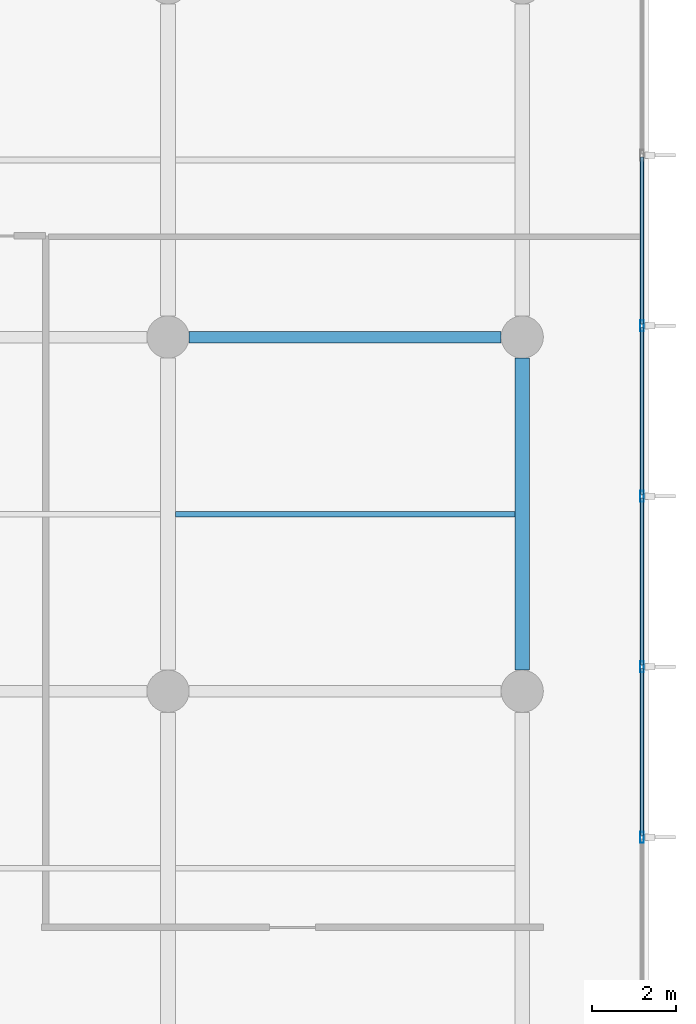
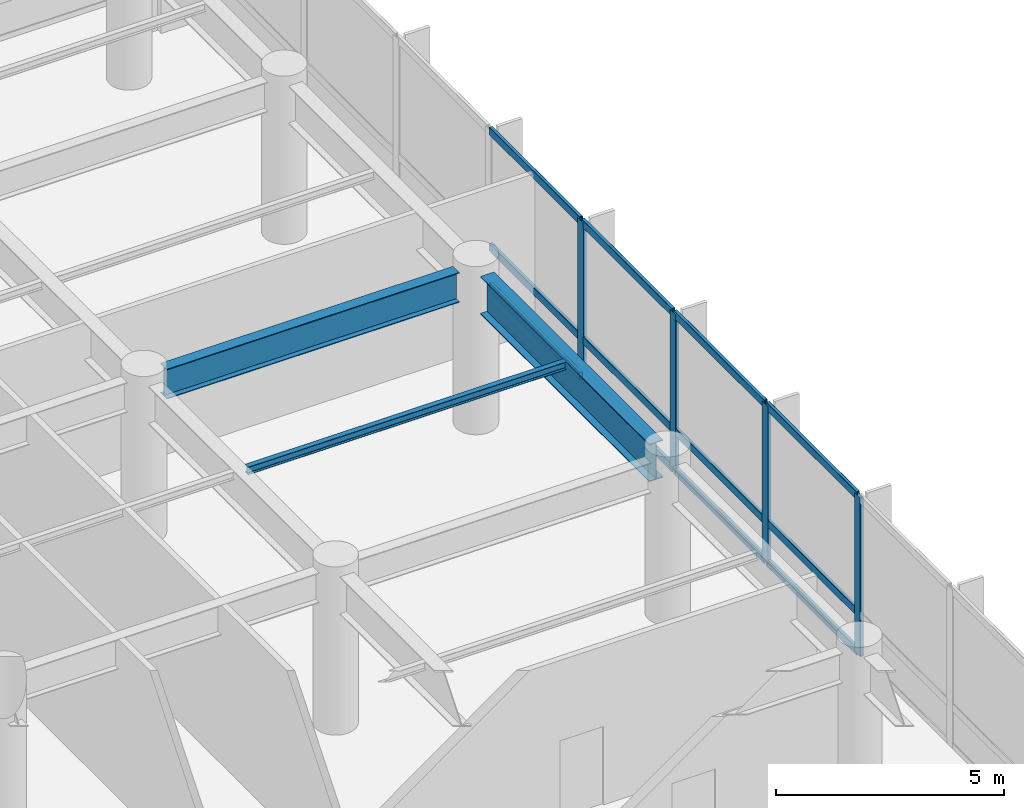
# One storey, part 9 of 26: 16 members, 3 beams, 1 element without a shape of its own.
"""IFC4 building model written with IfcOpenShell, lengths in metres."""

import ifcopenshell
import ifcopenshell.guid

model = None  # the IFC model being written
_history = None  # IfcOwnerHistory: only IFC2X3 demands one
_inside = {}  # id of a spatial element -> (the spatial element, [elements in it])
_under = {}  # id of a project, library or spatial element -> (it, [spatial elements below it])
_declared = {}  # id of a project -> (the project, [libraries it declares])
_typed = {}  # id of a type object -> (the type object, [elements of that type])
_made_of = {}  # id of a material, layer set ... -> (it, [elements and type objects made of it])


def new_model(schema):
    """Start an empty IFC model of exactly this schema.

    Asked for "IFC4X3", IfcOpenShell would pick the latest addendum, in which some entities
    have other attributes; the version numbers below select the first issue.
    IFC2X3 requires an IfcOwnerHistory on every rooted entity: one is made here for all.
    """
    global model, _history
    if schema == "IFC4X3":
        model = ifcopenshell.file(schema_version=(4, 3, 0, 0))
    else:
        model = ifcopenshell.file(schema=schema)
    _inside.clear()
    _under.clear()
    _declared.clear()
    _typed.clear()
    _made_of.clear()
    _history = None
    if model.schema == "IFC2X3":
        org = make("IfcOrganization", Name="unknown")
        user = make(
            "IfcPersonAndOrganization",
            ThePerson=make("IfcPerson", FamilyName="unknown"),
            TheOrganization=org,
        )
        app = make(
            "IfcApplication",
            ApplicationDeveloper=org,
            Version="unknown",
            ApplicationFullName="unknown",
            ApplicationIdentifier="unknown",
        )
        _history = make(
            "IfcOwnerHistory",
            OwningUser=user,
            OwningApplication=app,
            ChangeAction="ADDED",
            CreationDate=0,
        )
    return model


def make(cls, **values):
    """One entity of the class cls with the attributes given. An attribute that is None is left unset."""
    return model.create_entity(
        cls, **{name: value for name, value in values.items() if value is not None}
    )


def rooted(cls, **values):
    """An entity with a GlobalId (a new one), such as an element, a storey or a relation."""
    return make(cls, GlobalId=ifcopenshell.guid.new(), OwnerHistory=_history, **values)


def si_unit(unit_type, name, prefix=None):
    """IfcSIUnit, for example si_unit("LENGTHUNIT", "METRE", prefix="MILLI")."""
    return make("IfcSIUnit", UnitType=unit_type, Prefix=prefix, Name=name)


def assignment(units):
    """IfcUnitAssignment: the units of a project."""
    return None if units is None else make("IfcUnitAssignment", Units=units)


def point(xyz):
    """IfcCartesianPoint."""
    return None if xyz is None else make("IfcCartesianPoint", Coordinates=xyz)


def direction(xyz):
    """IfcDirection."""
    return None if xyz is None else make("IfcDirection", DirectionRatios=xyz)


def frame(location, z_axis=None, x_axis=None):
    """IfcAxis2Placement3D, a coordinate frame: its origin and axes. An axis left out is left unset."""
    return make(
        "IfcAxis2Placement3D",
        Location=point(location),
        Axis=direction(z_axis),
        RefDirection=direction(x_axis),
    )


def frame_2d(location, x_axis=None):
    """IfcAxis2Placement2D, a coordinate frame in the plane: its origin and x axis."""
    return make(
        "IfcAxis2Placement2D", Location=point(location), RefDirection=direction(x_axis)
    )


def origin():
    """The frame at (0, 0, 0) with its axes left unset."""
    return frame((0.0, 0.0, 0.0))


def origin_2d():
    """The frame at (0, 0) in the plane with its x axis left unset."""
    return frame_2d((0.0, 0.0))


def place(relative_to, where):
    """IfcLocalPlacement: puts the frame where relative to a parent placement (None: the world)."""
    return make(
        "IfcLocalPlacement", PlacementRelTo=relative_to, RelativePlacement=where
    )


def context(
    kind, dimensions, precision=None, world=None, true_north=None, identifier=None
):
    """IfcGeometricRepresentationContext, for example the 3D "Model" context."""
    return make(
        "IfcGeometricRepresentationContext",
        ContextIdentifier=identifier,
        ContextType=kind,
        CoordinateSpaceDimension=dimensions,
        Precision=precision,
        WorldCoordinateSystem=world,
        TrueNorth=true_north,
    )


def subcontext(parent, identifier, kind, view, scale=None):
    """IfcGeometricRepresentationSubContext, for example "Body" below "Model"."""
    return make(
        "IfcGeometricRepresentationSubContext",
        ContextIdentifier=identifier,
        ContextType=kind,
        ParentContext=parent,
        TargetScale=scale,
        TargetView=view,
    )


def project(units=None, contexts=None):
    """IfcProject with its units and contexts."""
    return rooted(
        "IfcProject",
        Name="project",
        RepresentationContexts=contexts,
        UnitsInContext=assignment(units),
    )


def spatial(cls, under=None, at=None, **own):
    """A site, building, storey or space (cls), placed at a placement, below another one or the project."""
    s = rooted(cls, ObjectPlacement=at, **own)
    if under is not None:
        _under.setdefault(under.id(), (under, []))[1].append(s)
    return s


def profile(cls, at=None, kind="AREA", **sizes):
    """A parametric profile (cls). Its sizes go by their IFC names, for example OverallWidth=200.0."""
    return make(cls, ProfileType=kind, Position=at, **sizes)


def hollow_rectangle(**sizes):
    """IfcRectangleHollowProfileDef."""
    return profile("IfcRectangleHollowProfileDef", **sizes)


def i_section(**sizes):
    """IfcIShapeProfileDef."""
    return profile("IfcIShapeProfileDef", **sizes)


def extrude(swept, where, along, depth):
    """IfcExtrudedAreaSolid: the profile swept, set in the frame where, extruded along a direction by depth."""
    return make(
        "IfcExtrudedAreaSolid",
        SweptArea=swept,
        Position=where,
        ExtrudedDirection=direction(along),
        Depth=depth,
    )


def shape(context_of_items, identifier, shape_type, items):
    """IfcShapeRepresentation: the items that make up one representation, for example the "Body"."""
    return make(
        "IfcShapeRepresentation",
        ContextOfItems=context_of_items,
        RepresentationIdentifier=identifier,
        RepresentationType=shape_type,
        Items=items,
    )


def material(Name=None, Category=None):
    """IfcMaterial."""
    return make("IfcMaterial", Name=Name, Category=Category)


def layer(
    of_material, thickness, ventilated=None, Name=None, Category=None, Priority=None
):
    """IfcMaterialLayer: one layer of a wall or slab, of a material (None: an air gap)."""
    return make(
        "IfcMaterialLayer",
        Material=of_material,
        LayerThickness=thickness,
        IsVentilated=ventilated,
        Name=Name,
        Category=Category,
        Priority=Priority,
    )


def layer_set(layers, Name=None):
    """IfcMaterialLayerSet."""
    return make("IfcMaterialLayerSet", MaterialLayers=layers, LayerSetName=Name)


def material_profile(
    of_material, cross_section, Name=None, Category=None, Priority=None
):
    """IfcMaterialProfile: a cross section and its material."""
    return make(
        "IfcMaterialProfile",
        Name=Name,
        Material=of_material,
        Profile=cross_section,
        Priority=Priority,
        Category=Category,
    )


def profile_set(profiles, Name=None, composite=None):
    """IfcMaterialProfileSet."""
    return make(
        "IfcMaterialProfileSet",
        Name=Name,
        MaterialProfiles=profiles,
        CompositeProfile=composite,
    )


def made_of(thing, what):
    """Note that an element or type object is made of a material, layer set ...; save() writes the relation."""
    if what is not None:
        _made_of.setdefault(what.id(), (what, []))[1].append(thing)
    return thing


def type_object(cls, material=None, **own):
    """A type object (cls), such as IfcWallType, which elements share."""
    return made_of(rooted(cls, **own), material)


def element(
    cls,
    number,
    at=None,
    inside=None,
    cuts=None,
    type_object=None,
    material=None,
    context=None,
    identifier="Body",
    shape_type=None,
    held_by="IfcProductDefinitionShape",
    body=None,
    shapes=None,
    **own,
):
    """One element of the class cls, such as IfcWall. Its Tag is "e" and its number.

    at: its placement. inside: the storey or other place that contains it. cuts: it is an
    opening in that element (IfcRelVoidsElement). A single representation is given by context,
    identifier, shape_type and body (its items); several are given by shapes. held_by: the class
    of the entity that holds the representations. save() writes the other relations.
    """
    e = rooted(cls, Tag="e%d" % number, ObjectPlacement=at, **own)
    if body is not None:
        shapes = [shape(context, identifier, shape_type, body)]
    if shapes is not None:
        e.Representation = make(held_by, Representations=shapes)
    if inside is not None:
        _inside.setdefault(inside.id(), (inside, []))[1].append(e)
    if cuts is not None:
        rooted(
            "IfcRelVoidsElement", RelatingBuildingElement=cuts, RelatedOpeningElement=e
        )
    if type_object is not None:
        _typed.setdefault(type_object.id(), (type_object, []))[1].append(e)
    return made_of(e, material)


def aggregate(whole, parts):
    """IfcRelAggregates: a whole, such as a stair, and the parts it consists of."""
    return rooted("IfcRelAggregates", RelatingObject=whole, RelatedObjects=parts)


def save(model, path):
    """Write the relations noted so far, then the file.

    IfcRelAggregates (storeys below a building ...), IfcRelContainedInSpatialStructure (elements
    in a storey), IfcRelDefinesByType, IfcRelAssociatesMaterial and IfcRelDeclares: one each for
    every whole, place, type object, material and project.
    """
    for whole, parts in _under.values():
        aggregate(whole, parts)
    for where, things in _inside.values():
        rooted(
            "IfcRelContainedInSpatialStructure",
            RelatedElements=things,
            RelatingStructure=where,
        )
    for kind, things in _typed.values():
        rooted("IfcRelDefinesByType", RelatedObjects=things, RelatingType=kind)
    for what, things in _made_of.values():
        rooted("IfcRelAssociatesMaterial", RelatedObjects=things, RelatingMaterial=what)
    for by, libraries in _declared.values():
        rooted("IfcRelDeclares", RelatingContext=by, RelatedDefinitions=libraries)
    model.write(path)


model = new_model("IFC4")

# Units and contexts
model_context = context("Model", 3, precision=1e-05, world=origin(), true_north=direction((0.0, 1.0)))
body_context = subcontext(model_context, "Body", "Model", "MODEL_VIEW")
ifc_project = project(units=[si_unit("LENGTHUNIT", "METRE"), si_unit("AREAUNIT", "SQUARE_METRE"), si_unit("VOLUMEUNIT", "CUBIC_METRE"), si_unit("PLANEANGLEUNIT", "RADIAN"), si_unit("MASSUNIT", "GRAM", prefix="KILO")], contexts=[model_context])

# Site, building, storey
site_placement = place(None, origin())
site = spatial("IfcSite", under=ifc_project, at=site_placement, CompositionType="ELEMENT")
building_placement = place(site_placement, origin())
building = spatial("IfcBuilding", under=site, at=building_placement, Name="Varnakote Quay Hospital", CompositionType="ELEMENT")
storey_placement = place(building_placement, frame((0.0, 0.0, 13.5)))
storey = spatial("IfcBuildingStorey", under=building, at=storey_placement, Name="L03", CompositionType="ELEMENT", Elevation=13.5)

# Beams
ifc_material_1 = material(Name="Structural steel AS/NZS 3678 Grade 350 (fy 340 MPa)", Category="steel")
ifc_material_profile_1 = material_profile(ifc_material_1, i_section(OverallWidth=0.35009765625, OverallDepth=1.010009765625, WebThickness=0.01611328125, FlangeThickness=0.02490234375, at=origin_2d()), Name="1000WB258")
ifc_profile_set_1 = profile_set([ifc_material_profile_1], Name="Structural steel AS/NZS 3678 Grade 350 (fy 340 MPa)")
beam_type_1 = type_object("IfcBeamType", Name="BM-STL-1000WB258", PredefinedType="BEAM", material=ifc_profile_set_1)
beam_1_placement = place(storey_placement, frame((84.0, 20.89990234375, 3.7451171875), z_axis=(0.0, 1.0, 0.0), x_axis=(-1.0, 0.0, 0.0)))
element("IfcBeam", 1, at=beam_1_placement, inside=storey, type_object=beam_type_1, Name="L03 Primary Tie Beam", PredefinedType="BEAM", context=body_context, shape_type="SweptSolid", body=[
    extrude(i_section(OverallWidth=0.35009765625, OverallDepth=1.010009765625, WebThickness=0.01611328125, FlangeThickness=0.02490234375, at=origin_2d()), origin(), (0.0, 0.0, 1.0), 7.400146484375),
])
ifc_material_2 = material(Name="Structural steel AS/NZS 3678 Grade 350 (fy 340 MPa)", Category="steel")
ifc_material_profile_2 = material_profile(ifc_material_2, i_section(OverallWidth=0.27490234375, OverallDepth=0.800048828125, WebThickness=0.010009765625, FlangeThickness=0.02001953125, at=origin_2d()), Name="800WB146")
ifc_profile_set_2 = profile_set([ifc_material_profile_2], Name="Structural steel AS/NZS 3678 Grade 350 (fy 340 MPa)")
beam_type_2 = type_object("IfcBeamType", Name="BM-STL-800WB146", PredefinedType="BEAM", material=ifc_profile_set_2)
beam_2_placement = place(storey_placement, frame((76.10009765625, 28.800048828125, 3.85009765625), z_axis=(1.0, 0.0, 0.0), x_axis=(0.0, 1.0, 0.0)))
element("IfcBeam", 2, at=beam_2_placement, inside=storey, type_object=beam_type_2, Name="L03 Primary Floor Beam", PredefinedType="BEAM", context=body_context, shape_type="SweptSolid", body=[
    extrude(i_section(OverallWidth=0.27490234375, OverallDepth=0.800048828125, WebThickness=0.010009765625, FlangeThickness=0.02001953125, at=origin_2d()), origin(), (0.0, 0.0, 1.0), 7.39990234375),
])

# Curtain wall, members
ifc_material_3 = material(Name="Anodised aluminium 6063-T6 Bronze", Category="aluminium")
ifc_layer = layer(ifc_material_3, 0.175048828125)
ifc_layer_set = layer_set([ifc_layer], Name="Anodised aluminium 6063-T6 Bronze")
curtain_wall_type = type_object("IfcCurtainWallType", Name="CW-SYS-1", PredefinedType="NOTDEFINED", material=ifc_layer_set)
curtain_wall_placement = place(storey_placement, origin())
curtain_wall = element("IfcCurtainWall", 3, at=curtain_wall_placement, inside=storey, type_object=curtain_wall_type, Name="L03 Unitised Bronze Curtain Wall 1", PredefinedType="NOTDEFINED")
ifc_material_4 = material(Name="Anodised aluminium 6063-T6 Bronze", Category="aluminium")
ifc_material_profile_3 = material_profile(ifc_material_4, hollow_rectangle(XDim=0.0849609375, YDim=0.260009765625, WallThickness=0.0048828125, InnerFilletRadius=0.0048828125, OuterFilletRadius=0.010009765625, at=origin_2d()), Name="CW-MULL-260x85")
ifc_profile_set_3 = profile_set([ifc_material_profile_3], Name="Anodised aluminium 6063-T6 Bronze")
member_type_1 = type_object("IfcMemberType", Name="CW-MULL-260x85", PredefinedType="MULLION", material=ifc_profile_set_3)
member_1_placement = place(storey_placement, frame((86.840087890625, 16.9345703125, 0.0), z_axis=(0.0, 0.0, 1.0), x_axis=(-1.0, 0.0, 0.0)))
member_1 = element("IfcMember", 4, at=member_1_placement, type_object=member_type_1, Name="-1-L03-1 mullion 5", PredefinedType="MULLION", context=body_context, shape_type="SweptSolid", body=[
    extrude(hollow_rectangle(XDim=0.0849609375, YDim=0.260009765625, WallThickness=0.0048828125, InnerFilletRadius=0.0048828125, OuterFilletRadius=0.010009765625, at=origin_2d()), origin(), (0.0, 0.0, 1.0), 4.25),
])
member_2_placement = place(storey_placement, frame((86.840087890625, 20.978271484375, 0.0), z_axis=(0.0, 0.0, 1.0), x_axis=(-1.0, 0.0, 0.0)))
member_2 = element("IfcMember", 5, at=member_2_placement, type_object=member_type_1, Name="-1-L03-1 mullion 6", PredefinedType="MULLION", context=body_context, shape_type="SweptSolid", body=[
    extrude(hollow_rectangle(XDim=0.0849609375, YDim=0.260009765625, WallThickness=0.0048828125, InnerFilletRadius=0.0048828125, OuterFilletRadius=0.010009765625, at=origin_2d()), origin(), (0.0, 0.0, 1.0), 4.25),
])
member_3_placement = place(storey_placement, frame((86.840087890625, 25.021728515625, 0.0), z_axis=(0.0, 0.0, 1.0), x_axis=(-1.0, 0.0, 0.0)))
member_3 = element("IfcMember", 6, at=member_3_placement, type_object=member_type_1, Name="-1-L03-1 mullion 7", PredefinedType="MULLION", context=body_context, shape_type="SweptSolid", body=[
    extrude(hollow_rectangle(XDim=0.0849609375, YDim=0.260009765625, WallThickness=0.0048828125, InnerFilletRadius=0.0048828125, OuterFilletRadius=0.010009765625, at=origin_2d()), origin(), (0.0, 0.0, 1.0), 4.25),
])
member_4_placement = place(storey_placement, frame((86.840087890625, 29.0654296875, 0.0), z_axis=(0.0, 0.0, 1.0), x_axis=(-1.0, 0.0, 0.0)))
member_4 = element("IfcMember", 7, at=member_4_placement, type_object=member_type_1, Name="-1-L03-1 mullion 8", PredefinedType="MULLION", context=body_context, shape_type="SweptSolid", body=[
    extrude(hollow_rectangle(XDim=0.0849609375, YDim=0.260009765625, WallThickness=0.0048828125, InnerFilletRadius=0.0048828125, OuterFilletRadius=0.010009765625, at=origin_2d()), origin(), (0.0, 0.0, 1.0), 4.25),
])
ifc_material_5 = material(Name="Anodised aluminium 6063-T6 Bronze", Category="aluminium")
ifc_material_profile_4 = material_profile(ifc_material_5, hollow_rectangle(XDim=0.0849609375, YDim=0.2099609375, WallThickness=0.00439453125, InnerFilletRadius=0.00439453125, OuterFilletRadius=0.009033203125, at=origin_2d()), Name="CW-TRAN-210x85")
ifc_profile_set_4 = profile_set([ifc_material_profile_4], Name="Anodised aluminium 6063-T6 Bronze")
member_type_2 = type_object("IfcMemberType", Name="CW-TRAN-210x85", PredefinedType="USERDEFINED", material=ifc_profile_set_4)
member_5_placement = place(storey_placement, frame((86.840087890625, 16.97705078125, 0.04248046875), z_axis=(0.0, 1.0, 0.0), x_axis=(-1.0, 0.0, 0.0)))
member_5 = element("IfcMember", 8, at=member_5_placement, type_object=member_type_2, Name="-1-L03-1 transom 5.1", ObjectType="TRANSOM", PredefinedType="USERDEFINED", context=body_context, shape_type="SweptSolid", body=[
    extrude(hollow_rectangle(XDim=0.0849609375, YDim=0.2099609375, WallThickness=0.00439453125, InnerFilletRadius=0.00439453125, OuterFilletRadius=0.009033203125, at=origin_2d()), origin(), (0.0, 0.0, 1.0), 3.958740234375),
])
member_6_placement = place(storey_placement, frame((86.840087890625, 16.97705078125, 1.10009765625), z_axis=(0.0, 1.0, 0.0), x_axis=(-1.0, 0.0, 0.0)))
member_6 = element("IfcMember", 9, at=member_6_placement, type_object=member_type_2, Name="-1-L03-1 transom 5.2", ObjectType="TRANSOM", PredefinedType="USERDEFINED", context=body_context, shape_type="SweptSolid", body=[
    extrude(hollow_rectangle(XDim=0.0849609375, YDim=0.2099609375, WallThickness=0.00439453125, InnerFilletRadius=0.00439453125, OuterFilletRadius=0.009033203125, at=origin_2d()), origin(), (0.0, 0.0, 1.0), 3.958740234375),
])
member_7_placement = place(storey_placement, frame((86.840087890625, 16.97705078125, 4.20751953125), z_axis=(0.0, 1.0, 0.0), x_axis=(-1.0, 0.0, 0.0)))
member_7 = element("IfcMember", 10, at=member_7_placement, type_object=member_type_2, Name="-1-L03-1 transom 5.3", ObjectType="TRANSOM", PredefinedType="USERDEFINED", context=body_context, shape_type="SweptSolid", body=[
    extrude(hollow_rectangle(XDim=0.0849609375, YDim=0.2099609375, WallThickness=0.00439453125, InnerFilletRadius=0.00439453125, OuterFilletRadius=0.009033203125, at=origin_2d()), origin(), (0.0, 0.0, 1.0), 3.958740234375),
])
member_8_placement = place(storey_placement, frame((86.840087890625, 21.020751953125, 0.04248046875), z_axis=(0.0, 1.0, 0.0), x_axis=(-1.0, 0.0, 0.0)))
member_8 = element("IfcMember", 11, at=member_8_placement, type_object=member_type_2, Name="-1-L03-1 transom 6.1", ObjectType="TRANSOM", PredefinedType="USERDEFINED", context=body_context, shape_type="SweptSolid", body=[
    extrude(hollow_rectangle(XDim=0.0849609375, YDim=0.2099609375, WallThickness=0.00439453125, InnerFilletRadius=0.00439453125, OuterFilletRadius=0.009033203125, at=origin_2d()), origin(), (0.0, 0.0, 1.0), 3.95849609375),
])
member_9_placement = place(storey_placement, frame((86.840087890625, 21.020751953125, 1.10009765625), z_axis=(0.0, 1.0, 0.0), x_axis=(-1.0, 0.0, 0.0)))
member_9 = element("IfcMember", 12, at=member_9_placement, type_object=member_type_2, Name="-1-L03-1 transom 6.2", ObjectType="TRANSOM", PredefinedType="USERDEFINED", context=body_context, shape_type="SweptSolid", body=[
    extrude(hollow_rectangle(XDim=0.0849609375, YDim=0.2099609375, WallThickness=0.00439453125, InnerFilletRadius=0.00439453125, OuterFilletRadius=0.009033203125, at=origin_2d()), origin(), (0.0, 0.0, 1.0), 3.95849609375),
])
member_10_placement = place(storey_placement, frame((86.840087890625, 21.020751953125, 4.20751953125), z_axis=(0.0, 1.0, 0.0), x_axis=(-1.0, 0.0, 0.0)))
member_10 = element("IfcMember", 13, at=member_10_placement, type_object=member_type_2, Name="-1-L03-1 transom 6.3", ObjectType="TRANSOM", PredefinedType="USERDEFINED", context=body_context, shape_type="SweptSolid", body=[
    extrude(hollow_rectangle(XDim=0.0849609375, YDim=0.2099609375, WallThickness=0.00439453125, InnerFilletRadius=0.00439453125, OuterFilletRadius=0.009033203125, at=origin_2d()), origin(), (0.0, 0.0, 1.0), 3.95849609375),
])
member_11_placement = place(storey_placement, frame((86.840087890625, 25.064208984375, 0.04248046875), z_axis=(0.0, 1.0, 0.0), x_axis=(-1.0, 0.0, 0.0)))
member_11 = element("IfcMember", 14, at=member_11_placement, type_object=member_type_2, Name="-1-L03-1 transom 7.1", ObjectType="TRANSOM", PredefinedType="USERDEFINED", context=body_context, shape_type="SweptSolid", body=[
    extrude(hollow_rectangle(XDim=0.0849609375, YDim=0.2099609375, WallThickness=0.00439453125, InnerFilletRadius=0.00439453125, OuterFilletRadius=0.009033203125, at=origin_2d()), origin(), (0.0, 0.0, 1.0), 3.958740234375),
])
member_12_placement = place(storey_placement, frame((86.840087890625, 25.064208984375, 1.10009765625), z_axis=(0.0, 1.0, 0.0), x_axis=(-1.0, 0.0, 0.0)))
member_12 = element("IfcMember", 15, at=member_12_placement, type_object=member_type_2, Name="-1-L03-1 transom 7.2", ObjectType="TRANSOM", PredefinedType="USERDEFINED", context=body_context, shape_type="SweptSolid", body=[
    extrude(hollow_rectangle(XDim=0.0849609375, YDim=0.2099609375, WallThickness=0.00439453125, InnerFilletRadius=0.00439453125, OuterFilletRadius=0.009033203125, at=origin_2d()), origin(), (0.0, 0.0, 1.0), 3.958740234375),
])
member_13_placement = place(storey_placement, frame((86.840087890625, 25.064208984375, 4.20751953125), z_axis=(0.0, 1.0, 0.0), x_axis=(-1.0, 0.0, 0.0)))
member_13 = element("IfcMember", 16, at=member_13_placement, type_object=member_type_2, Name="-1-L03-1 transom 7.3", ObjectType="TRANSOM", PredefinedType="USERDEFINED", context=body_context, shape_type="SweptSolid", body=[
    extrude(hollow_rectangle(XDim=0.0849609375, YDim=0.2099609375, WallThickness=0.00439453125, InnerFilletRadius=0.00439453125, OuterFilletRadius=0.009033203125, at=origin_2d()), origin(), (0.0, 0.0, 1.0), 3.958740234375),
])
member_14_placement = place(storey_placement, frame((86.840087890625, 29.10791015625, 0.04248046875), z_axis=(0.0, 1.0, 0.0), x_axis=(-1.0, 0.0, 0.0)))
member_14 = element("IfcMember", 17, at=member_14_placement, type_object=member_type_2, Name="-1-L03-1 transom 8.1", ObjectType="TRANSOM", PredefinedType="USERDEFINED", context=body_context, shape_type="SweptSolid", body=[
    extrude(hollow_rectangle(XDim=0.0849609375, YDim=0.2099609375, WallThickness=0.00439453125, InnerFilletRadius=0.00439453125, OuterFilletRadius=0.009033203125, at=origin_2d()), origin(), (0.0, 0.0, 1.0), 3.958740234375),
])
member_15_placement = place(storey_placement, frame((86.840087890625, 29.10791015625, 1.10009765625), z_axis=(0.0, 1.0, 0.0), x_axis=(-1.0, 0.0, 0.0)))
member_15 = element("IfcMember", 18, at=member_15_placement, type_object=member_type_2, Name="-1-L03-1 transom 8.2", ObjectType="TRANSOM", PredefinedType="USERDEFINED", context=body_context, shape_type="SweptSolid", body=[
    extrude(hollow_rectangle(XDim=0.0849609375, YDim=0.2099609375, WallThickness=0.00439453125, InnerFilletRadius=0.00439453125, OuterFilletRadius=0.009033203125, at=origin_2d()), origin(), (0.0, 0.0, 1.0), 3.958740234375),
])
member_16_placement = place(storey_placement, frame((86.840087890625, 29.10791015625, 4.20751953125), z_axis=(0.0, 1.0, 0.0), x_axis=(-1.0, 0.0, 0.0)))
member_16 = element("IfcMember", 19, at=member_16_placement, type_object=member_type_2, Name="-1-L03-1 transom 8.3", ObjectType="TRANSOM", PredefinedType="USERDEFINED", context=body_context, shape_type="SweptSolid", body=[
    extrude(hollow_rectangle(XDim=0.0849609375, YDim=0.2099609375, WallThickness=0.00439453125, InnerFilletRadius=0.00439453125, OuterFilletRadius=0.009033203125, at=origin_2d()), origin(), (0.0, 0.0, 1.0), 3.958740234375),
])
aggregate(curtain_wall, [member_1, member_2, member_3, member_4, member_5, member_6, member_7, member_8, member_9, member_10, member_11, member_12, member_13, member_14, member_15, member_16])

# Beam
ifc_material_6 = material(Name="Structural steel AS/NZS 3679.1 Grade 350 L0 (fy 340 MPa)", Category="steel")
ifc_material_profile_5 = material_profile(ifc_material_6, i_section(OverallWidth=0.134033203125, OverallDepth=0.20703125, WebThickness=0.00634765625, FlangeThickness=0.009521484375, FilletRadius=0.0087890625, at=origin_2d()), Name="200UB29.8")
ifc_profile_set_5 = profile_set([ifc_material_profile_5], Name="Structural steel AS/NZS 3679.1 Grade 350 L0 (fy 340 MPa)")
beam_type_3 = type_object("IfcBeamType", Name="JST-STL-200UB29-8", PredefinedType="JOIST", material=ifc_profile_set_5)
beam_3_placement = place(storey_placement, frame((75.77490234375, 24.60009765625, 4.146484375), z_axis=(1.0, 0.0, 0.0), x_axis=(0.0, 1.0, 0.0)))
element("IfcBeam", 20, at=beam_3_placement, inside=storey, type_object=beam_type_3, Name="L03 Composite Floor Joist", PredefinedType="JOIST", context=body_context, shape_type="SweptSolid", body=[
    extrude(i_section(OverallWidth=0.134033203125, OverallDepth=0.20703125, WebThickness=0.00634765625, FlangeThickness=0.009521484375, FilletRadius=0.0087890625, at=origin_2d()), origin(), (0.0, 0.0, 1.0), 8.050048828125),
])

save(model, "model.ifc")
